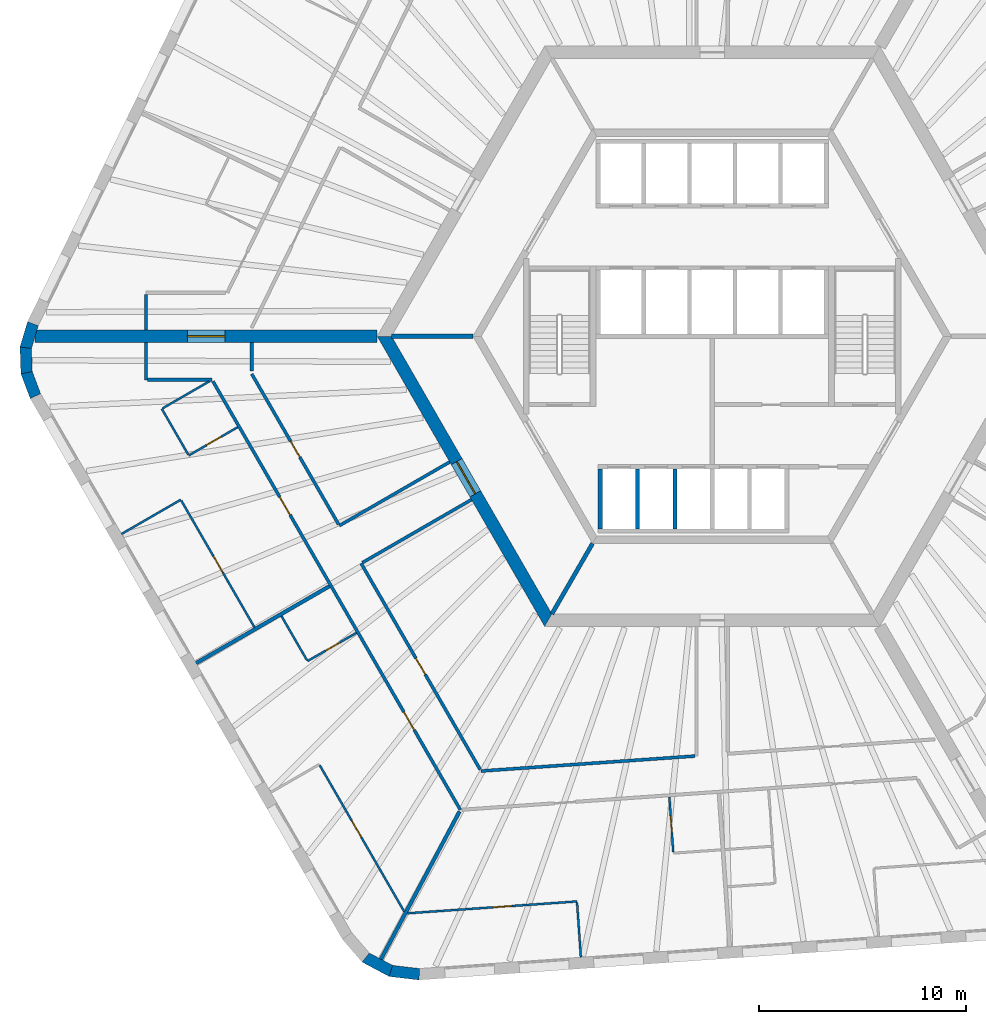
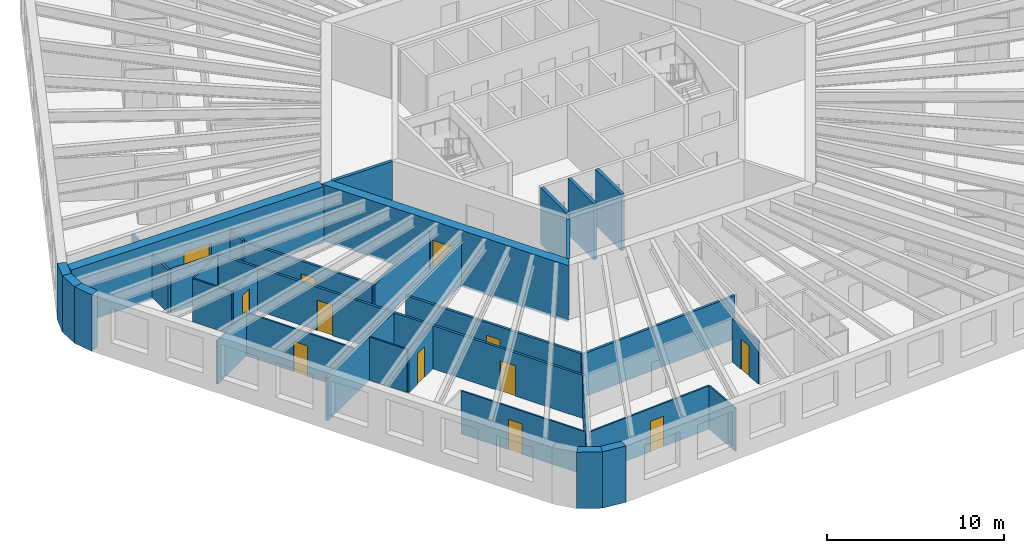
# One storey, part 3 of 12: 35 walls, 12 doors, 12 openings.
"""IFC4 building model written with IfcOpenShell, lengths in metres."""

from ifc_helpers import new_model, si_unit, direction, frame, frame_2d, origin, place, context, subcontext, project, spatial, polyline, rectangle, outline, extrude, material, layer, layer_set, type_object, element, fill, save


model = new_model("IFC4")

# Units and contexts
model_context = context("Model", 3, precision=1e-05, world=origin(), true_north=direction((0.0, 1.0)))
body_context = subcontext(model_context, "Body", "Model", "MODEL_VIEW")
ifc_project = project(units=[si_unit("LENGTHUNIT", "METRE"), si_unit("AREAUNIT", "SQUARE_METRE"), si_unit("VOLUMEUNIT", "CUBIC_METRE"), si_unit("PLANEANGLEUNIT", "RADIAN"), si_unit("MASSUNIT", "GRAM", prefix="KILO")], contexts=[model_context])

# Site, building, storey
site_placement = place(None, origin())
site = spatial("IfcSite", under=ifc_project, at=site_placement, CompositionType="ELEMENT")
building_placement = place(site_placement, origin())
building = spatial("IfcBuilding", under=site, at=building_placement, Name="Tarnside Tower", CompositionType="ELEMENT")
storey_placement = place(building_placement, frame((0.0, 0.0, 64.800048828125)))
storey = spatial("IfcBuildingStorey", under=building, at=storey_placement, Name="L13", CompositionType="ELEMENT", Elevation=64.800048828125)

# Wall, opening, door
ifc_material_1 = material(Name="Gypsum board partition on steel studs", Category="steel")
ifc_layer_1 = layer(ifc_material_1, 0.10009765625)
ifc_layer_set_1 = layer_set([ifc_layer_1], Name="Bathroom wall 100")
wall_type_1 = type_object("IfcWallType", Name="Bathroom wall 100", PredefinedType="PARTITIONING", material=ifc_layer_set_1)
wall_1_placement = place(storey_placement, frame((-22.898193359375, -4.38916015625, 0.0), z_axis=(0.0, 0.0, 1.0), x_axis=(-0.866012511928, -0.500022328685, 0.0)))
wall_1 = element("IfcWall", 1, at=wall_1_placement, inside=storey, type_object=wall_type_1, Name="Bathroom wall 03097", PredefinedType="PARTITIONING", context=body_context, shape_type="SweptSolid", body=[
    extrude(rectangle(XDim=2.72509765625, YDim=0.10009765625, at=frame_2d((1.362548828125, 0.0))), origin(), (0.0, 0.0, 1.0), 2.98779296875),
])
opening_1_placement = place(wall_1_placement, frame((0.925048828125, 0.0, 0.0)))
opening_1 = element("IfcOpeningElement", 2, at=opening_1_placement, cuts=wall_1, Name="Opening D-B1", PredefinedType="OPENING", context=body_context, shape_type="SweptSolid", body=[
    extrude(rectangle(XDim=0.800048828125, YDim=2.10009765625, at=frame_2d((0.39990234375, 1.050048828125))), frame((0.0, 0.06005859375, 0.0), z_axis=(0.0, -1.0, 0.0), x_axis=(1.0, 0.0, 0.0)), (0.0, 0.0, 1.0), 0.1201171875),
])
ifc_material_2 = material(Name="Timber door leaf", Category="wood")
door_type_1 = type_object("IfcDoorType", Name="Bathroom door 800", OperationType="NOTDEFINED", PredefinedType="DOOR", material=ifc_material_2)
door_1_placement = place(opening_1_placement, origin())
door_1 = element("IfcDoor", 3, at=door_1_placement, inside=storey, type_object=door_type_1, Name="Bathroom door 03014", OperationType="SINGLE_SWING_RIGHT", OverallHeight=2.10009765625, OverallWidth=0.800048828125, PredefinedType="DOOR", context=body_context, shape_type="SweptSolid", body=[
    extrude(rectangle(XDim=0.800048828125, YDim=2.10009765625, at=frame_2d((0.39990234375, 1.050048828125))), frame((0.0, 0.02490234375, 0.0), z_axis=(0.0, -1.0, 0.0), x_axis=(1.0, 0.0, 0.0)), (0.0, 0.0, 1.0), 0.050048828125),
])
fill(opening_1, door_1)

# Walls
wall_2_placement = place(storey_placement, frame((-25.283203125, -5.708251953125, 0.0), z_axis=(0.0, 0.0, 1.0), x_axis=(-0.499990435942, 0.866030925526, 0.0)))
element("IfcWall", 4, at=wall_2_placement, inside=storey, type_object=wall_type_1, Name="Bathroom wall 03098", PredefinedType="PARTITIONING", context=body_context, shape_type="SweptSolid", body=[
    extrude(rectangle(XDim=2.5498046875, YDim=0.10009765625, at=frame_2d((1.27490234375, 0.0))), origin(), (0.0, 0.0, 1.0), 2.98779296875),
])
wall_3_placement = place(storey_placement, frame((-26.514892578125, -3.47509765625, 0.0), z_axis=(0.0, 0.0, 1.0), x_axis=(0.866021400173, 0.500006934395, 0.0)))
element("IfcWall", 5, at=wall_3_placement, inside=storey, type_object=wall_type_1, Name="Bathroom wall 03099", PredefinedType="PARTITIONING", context=body_context, shape_type="SweptSolid", body=[
    extrude(rectangle(XDim=2.60009765625, YDim=0.10009765625, at=frame_2d((1.300048828125, 0.0))), origin(), (0.0, 0.0, 1.0), 2.98779296875),
])

# Wall, opening, door
wall_4_placement = place(storey_placement, frame((-17.168701171875, -14.31298828125, 0.0), z_axis=(0.0, 0.0, 1.0), x_axis=(-0.866012511928, -0.500022328685, 0.0)))
wall_4 = element("IfcWall", 6, at=wall_4_placement, inside=storey, type_object=wall_type_1, Name="Bathroom wall 03105", PredefinedType="PARTITIONING", context=body_context, shape_type="SweptSolid", body=[
    extrude(rectangle(XDim=2.72509765625, YDim=0.10009765625, at=frame_2d((1.362548828125, 0.0))), origin(), (0.0, 0.0, 1.0), 2.98779296875),
])
opening_2_placement = place(wall_4_placement, frame((0.925048828125, 0.0, 0.0)))
opening_2 = element("IfcOpeningElement", 7, at=opening_2_placement, cuts=wall_4, Name="Opening D-B1", PredefinedType="OPENING", context=body_context, shape_type="SweptSolid", body=[
    extrude(rectangle(XDim=0.800048828125, YDim=2.10009765625, at=frame_2d((0.39990234375, 1.050048828125))), frame((0.0, 0.06005859375, 0.0), z_axis=(0.0, -1.0, 0.0), x_axis=(1.0, 0.0, 0.0)), (0.0, 0.0, 1.0), 0.1201171875),
])
door_2_placement = place(opening_2_placement, origin())
door_2 = element("IfcDoor", 8, at=door_2_placement, inside=storey, type_object=door_type_1, Name="Bathroom door 03017", OperationType="SINGLE_SWING_RIGHT", OverallHeight=2.10009765625, OverallWidth=0.800048828125, PredefinedType="DOOR", context=body_context, shape_type="SweptSolid", body=[
    extrude(rectangle(XDim=0.800048828125, YDim=2.10009765625, at=frame_2d((0.39990234375, 1.050048828125))), frame((0.0, 0.02490234375, 0.0), z_axis=(0.0, -1.0, 0.0), x_axis=(1.0, 0.0, 0.0)), (0.0, 0.0, 1.0), 0.050048828125),
])
fill(opening_2, door_2)

# Wall
wall_5_placement = place(storey_placement, frame((-19.5537109375, -15.632080078125, 0.0), z_axis=(0.0, 0.0, 1.0), x_axis=(-0.500003092839, 0.866023618125, 0.0)))
element("IfcWall", 9, at=wall_5_placement, inside=storey, type_object=wall_type_1, Name="Bathroom wall 03106", PredefinedType="PARTITIONING", context=body_context, shape_type="SweptSolid", body=[
    extrude(rectangle(XDim=2.4599609375, YDim=0.10009765625, at=frame_2d((1.22998046875, 0.0))), origin(), (0.0, 0.0, 1.0), 2.98779296875),
])

# Wall, opening, door
wall_6_placement = place(storey_placement, frame((-1.87939453125, -24.891845703125, 0.0), z_axis=(0.0, 0.0, 1.0), x_axis=(-0.069722873391, 0.997566399257, 0.0)))
wall_6 = element("IfcWall", 10, at=wall_6_placement, inside=storey, type_object=wall_type_1, Name="Bathroom wall 03112", PredefinedType="PARTITIONING", context=body_context, shape_type="SweptSolid", body=[
    extrude(rectangle(XDim=2.67529296875, YDim=0.10009765625, at=frame_2d((1.337646484375, 0.0))), origin(), (0.0, 0.0, 1.0), 2.98779296875),
])
opening_3_placement = place(wall_6_placement, frame((0.949951171875, 0.0, 0.0)))
opening_3 = element("IfcOpeningElement", 11, at=opening_3_placement, cuts=wall_6, Name="Opening D-B1", PredefinedType="OPENING", context=body_context, shape_type="SweptSolid", body=[
    extrude(rectangle(XDim=0.800048828125, YDim=2.10009765625, at=frame_2d((0.39990234375, 1.050048828125))), frame((0.0, 0.06005859375, 0.0), z_axis=(0.0, -1.0, 0.0), x_axis=(1.0, 0.0, 0.0)), (0.0, 0.0, 1.0), 0.1201171875),
])
door_3_placement = place(opening_3_placement, origin())
door_3 = element("IfcDoor", 12, at=door_3_placement, inside=storey, type_object=door_type_1, Name="Bathroom door 03020", OperationType="SINGLE_SWING_RIGHT", OverallHeight=2.10009765625, OverallWidth=0.800048828125, PredefinedType="DOOR", context=body_context, shape_type="SweptSolid", body=[
    extrude(rectangle(XDim=0.800048828125, YDim=2.10009765625, at=frame_2d((0.39990234375, 1.050048828125))), frame((0.0, 0.02490234375, 0.0), z_axis=(0.0, -1.0, 0.0), x_axis=(1.0, 0.0, 0.0)), (0.0, 0.0, 1.0), 0.050048828125),
])
fill(opening_3, door_3)

ifc_material_3 = material(Name="Concrete C80/95", Category="concrete")
ifc_layer_2 = layer(ifc_material_3, 0.60009765625)
ifc_layer_set_2 = layer_set([ifc_layer_2], Name="Core wall Z1 600 C80/95")
wall_type_2 = type_object("IfcWallType", Name="Core wall Z1 600 C80/95", PredefinedType="SHEAR", material=ifc_layer_set_2)
wall_7_placement = place(storey_placement, frame((-15.8193359375, 0.0, -0.150146484375), z_axis=(0.0, 0.0, 1.0), x_axis=(0.499999880136, -0.866025472988, 0.0)))
wall_7 = element("IfcWall", 13, at=wall_7_placement, inside=storey, type_object=wall_type_2, Name="L13 core wall face 3", PredefinedType="SHEAR", context=body_context, shape_type="SweptSolid", body=[
    extrude(outline(polyline([(-0.17333984375, -0.300048828125), (15.99267578125, -0.300048828125), (15.64599609375, 0.300048828125), (0.17333984375, 0.300048828125), (-0.17333984375, -0.300048828125)])), origin(), (0.0, 0.0, 1.0), 3.900146484375),
])
opening_4_placement = place(wall_7_placement, frame((6.980712890625, 0.0, 0.14990234375)))
opening_4 = element("IfcOpeningElement", 14, at=opening_4_placement, cuts=wall_7, Name="Opening CD-FFL", PredefinedType="OPENING", context=body_context, shape_type="SweptSolid", body=[
    extrude(rectangle(XDim=1.800048828125, YDim=2.39990234375, at=frame_2d((0.89990234375, 1.199951171875))), frame((0.0, 0.31005859375, 0.0), z_axis=(0.0, -1.0, 0.0), x_axis=(1.0, 0.0, 0.0)), (0.0, 0.0, 1.0), 0.6201171875),
])
ifc_material_4 = material(Name="Steel fire door", Category="steel")
door_type_2 = type_object("IfcDoorType", Name="Firefighting lobby double door FD60S 1800x2400", OperationType="NOTDEFINED", PredefinedType="DOOR", material=ifc_material_4)
door_4_placement = place(opening_4_placement, origin())
door_4 = element("IfcDoor", 15, at=door_4_placement, inside=storey, type_object=door_type_2, Name="L13 core door P3", OperationType="DOUBLE_DOOR_SINGLE_SWING", OverallHeight=2.39990234375, OverallWidth=1.800048828125, PredefinedType="DOOR", context=body_context, shape_type="SweptSolid", body=[
    extrude(rectangle(XDim=1.800048828125, YDim=2.39990234375, at=frame_2d((0.89990234375, 1.199951171875))), frame((0.0, 0.02490234375, 0.0), z_axis=(0.0, -1.0, 0.0), x_axis=(1.0, 0.0, 0.0)), (0.0, 0.0, 1.0), 0.050048828125),
])
fill(opening_4, door_4)

wall_8_placement = place(storey_placement, frame((-16.165771484375, 0.0, -0.150146484375), z_axis=(0.0, 0.0, 1.0), x_axis=(-1.0, 0.0, 0.0)))
wall_8 = element("IfcWall", 16, at=wall_8_placement, inside=storey, type_object=wall_type_2, Name="L13 spine wall 2", PredefinedType="SHEAR", context=body_context, shape_type="SweptSolid", body=[
    extrude(rectangle(XDim=16.509033203125, YDim=0.60009765625, at=frame_2d((8.25439453125, 0.0))), origin(), (0.0, 0.0, 1.0), 3.900146484375),
])
opening_5_placement = place(wall_8_placement, frame((7.3544921875, 0.0, 0.14990234375)))
opening_5 = element("IfcOpeningElement", 17, at=opening_5_placement, cuts=wall_8, Name="Opening CD-SPN", PredefinedType="OPENING", context=body_context, shape_type="SweptSolid", body=[
    extrude(rectangle(XDim=1.800048828125, YDim=2.39990234375, at=frame_2d((0.89990234375, 1.199951171875))), frame((0.0, 0.31005859375, 0.0), z_axis=(0.0, -1.0, 0.0), x_axis=(1.0, 0.0, 0.0)), (0.0, 0.0, 1.0), 0.6201171875),
])
door_type_3 = type_object("IfcDoorType", Name="Spine passage double door FD60 1800x2400", OperationType="NOTDEFINED", PredefinedType="DOOR", material=ifc_material_4)
door_5_placement = place(opening_5_placement, origin())
door_5 = element("IfcDoor", 18, at=door_5_placement, inside=storey, type_object=door_type_3, Name="L13 spine passage door 2", OperationType="DOUBLE_DOOR_SINGLE_SWING", OverallHeight=2.39990234375, OverallWidth=1.800048828125, PredefinedType="DOOR", context=body_context, shape_type="SweptSolid", body=[
    extrude(rectangle(XDim=1.800048828125, YDim=2.39990234375, at=frame_2d((0.89990234375, 1.199951171875))), frame((0.0, 0.02490234375, 0.0), z_axis=(0.0, -1.0, 0.0), x_axis=(1.0, 0.0, 0.0)), (0.0, 0.0, 1.0), 0.050048828125),
])
fill(opening_5, door_5)

# Walls
ifc_layer_3 = layer(ifc_material_1, 0.14990234375)
ifc_layer_set_3 = layer_set([ifc_layer_3], Name="Corridor wall 150 EI 60")
wall_type_3 = type_object("IfcWallType", Name="Corridor wall 150 EI 60", PredefinedType="PARTITIONING", material=ifc_layer_set_3)
wall_9_placement = place(storey_placement, frame((-27.3203125, 2.02490234375, 0.0), z_axis=(0.0, 0.0, 1.0), x_axis=(0.0, -1.0, 0.0)))
element("IfcWall", 19, at=wall_9_placement, inside=storey, type_object=wall_type_3, Name="Corridor wall 03015", PredefinedType="PARTITIONING", context=body_context, shape_type="SweptSolid", body=[
    extrude(rectangle(XDim=1.724853515625, YDim=0.14990234375, at=frame_2d((0.8623046875, 0.0))), origin(), (0.0, 0.0, 1.0), 2.98779296875),
])
wall_10_placement = place(storey_placement, frame((-27.3203125, -0.300048828125, 0.0), z_axis=(0.0, 0.0, 1.0), x_axis=(0.0, -1.0, 0.0)))
element("IfcWall", 20, at=wall_10_placement, inside=storey, type_object=wall_type_3, Name="Corridor wall 03026", PredefinedType="PARTITIONING", context=body_context, shape_type="SweptSolid", body=[
    extrude(rectangle(XDim=1.800048828125, YDim=0.14990234375, at=frame_2d((0.89990234375, 0.0))), origin(), (0.0, 0.0, 1.0), 2.98779296875),
])
wall_11_placement = place(storey_placement, frame((-27.245361328125, -2.10009765625, 0.0), z_axis=(0.0, 0.0, 1.0), x_axis=(1.0, 0.0, 0.0)))
element("IfcWall", 21, at=wall_11_placement, inside=storey, type_object=wall_type_3, Name="Corridor wall 03027", PredefinedType="PARTITIONING", context=body_context, shape_type="SweptSolid", body=[
    extrude(rectangle(XDim=3.112060546875, YDim=0.14990234375, at=frame_2d((1.55615234375, 0.0))), origin(), (0.0, 0.0, 1.0), 2.98779296875),
])

# Wall, openings, doors
wall_12_placement = place(storey_placement, frame((-24.08984375, -2.175048828125, 0.0), z_axis=(0.0, 0.0, 1.0), x_axis=(0.499996832073, -0.86602723278, 0.0)))
wall_12 = element("IfcWall", 22, at=wall_12_placement, inside=storey, type_object=wall_type_3, Name="Corridor wall 03028", PredefinedType="PARTITIONING", context=body_context, shape_type="SweptSolid", body=[
    extrude(rectangle(XDim=23.877197265625, YDim=0.14990234375, at=frame_2d((11.9384765625, 0.0))), origin(), (0.0, 0.0, 1.0), 2.98779296875),
])
opening_6_placement = place(wall_12_placement, frame((6.44287109375, 0.0, 0.0)))
opening_6 = element("IfcOpeningElement", 23, at=opening_6_placement, cuts=wall_12, Name="Opening D-E1", PredefinedType="OPENING", context=body_context, shape_type="SweptSolid", body=[
    extrude(rectangle(XDim=1.0, YDim=2.10009765625, at=frame_2d((0.5, 1.050048828125))), frame((0.0, 0.0849609375, 0.0), z_axis=(0.0, -1.0, 0.0), x_axis=(1.0, 0.0, 0.0)), (0.0, 0.0, 1.0), 0.169921875),
])
opening_7_placement = place(wall_12_placement, frame((18.4248046875, 0.0, 0.0)))
opening_7 = element("IfcOpeningElement", 24, at=opening_7_placement, cuts=wall_12, Name="Opening D-E1", PredefinedType="OPENING", context=body_context, shape_type="SweptSolid", body=[
    extrude(rectangle(XDim=1.0, YDim=2.10009765625, at=frame_2d((0.5, 1.050048828125))), frame((0.0, 0.0849609375, 0.0), z_axis=(0.0, -1.0, 0.0), x_axis=(1.0, 0.0, 0.0)), (0.0, 0.0, 1.0), 0.169921875),
])
door_type_4 = type_object("IfcDoorType", Name="Unit entrance door 1000 FD30S", OperationType="NOTDEFINED", PredefinedType="DOOR", material=ifc_material_2)
door_6_placement = place(opening_6_placement, origin())
door_6 = element("IfcDoor", 25, at=door_6_placement, inside=storey, type_object=door_type_4, Name="Unit door 03013", OperationType="SINGLE_SWING_LEFT", OverallHeight=2.10009765625, OverallWidth=1.0, PredefinedType="DOOR", context=body_context, shape_type="SweptSolid", body=[
    extrude(rectangle(XDim=1.0, YDim=2.10009765625, at=frame_2d((0.5, 1.050048828125))), frame((0.0, 0.02490234375, 0.0), z_axis=(0.0, -1.0, 0.0), x_axis=(1.0, 0.0, 0.0)), (0.0, 0.0, 1.0), 0.050048828125),
])
fill(opening_6, door_6)
door_7_placement = place(opening_7_placement, origin())
door_7 = element("IfcDoor", 26, at=door_7_placement, inside=storey, type_object=door_type_4, Name="Unit door 03016", OperationType="SINGLE_SWING_LEFT", OverallHeight=2.10009765625, OverallWidth=1.0, PredefinedType="DOOR", context=body_context, shape_type="SweptSolid", body=[
    extrude(rectangle(XDim=1.0, YDim=2.10009765625, at=frame_2d((0.5, 1.050048828125))), frame((0.0, 0.02490234375, 0.0), z_axis=(0.0, -1.0, 0.0), x_axis=(1.0, 0.0, 0.0)), (0.0, 0.0, 1.0), 0.050048828125),
])
fill(opening_7, door_7)

# Wall
wall_13_placement = place(storey_placement, frame((-12.663818359375, -6.065673828125, 0.0), z_axis=(0.0, 0.0, 1.0), x_axis=(-0.866023618125, -0.500003092839, 0.0)))
element("IfcWall", 27, at=wall_13_placement, inside=storey, type_object=wall_type_3, Name="Corridor wall 03038", PredefinedType="PARTITIONING", context=body_context, shape_type="SweptSolid", body=[
    extrude(rectangle(XDim=6.14990234375, YDim=0.14990234375, at=frame_2d((3.074951171875, 0.0))), origin(), (0.0, 0.0, 1.0), 2.98779296875),
])

# Wall, opening, door
wall_14_placement = place(storey_placement, frame((-18.02734375, -9.07568359375, 0.0), z_axis=(0.0, 0.0, 1.0), x_axis=(-0.500007318041, 0.86602117867, 0.0)))
wall_14 = element("IfcWall", 28, at=wall_14_placement, inside=storey, type_object=wall_type_3, Name="Corridor wall 03039", PredefinedType="PARTITIONING", context=body_context, shape_type="SweptSolid", body=[
    extrude(rectangle(XDim=8.383056640625, YDim=0.14990234375, at=frame_2d((4.19140625, 0.0))), origin(), (0.0, 0.0, 1.0), 2.98779296875),
])
opening_8_placement = place(wall_14_placement, frame((3.74169921875, 0.0, 0.0)))
opening_8 = element("IfcOpeningElement", 29, at=opening_8_placement, cuts=wall_14, Name="Opening D-S1", PredefinedType="OPENING", context=body_context, shape_type="SweptSolid", body=[
    extrude(rectangle(XDim=0.89990234375, YDim=2.10009765625, at=frame_2d((0.449951171875, 1.050048828125))), frame((0.0, 0.0849609375, 0.0), z_axis=(0.0, -1.0, 0.0), x_axis=(1.0, 0.0, 0.0)), (0.0, 0.0, 1.0), 0.169921875),
])
door_type_5 = type_object("IfcDoorType", Name="Service room door 900 FD30S", OperationType="NOTDEFINED", PredefinedType="DOOR", material=ifc_material_2)
door_8_placement = place(opening_8_placement, origin())
door_8 = element("IfcDoor", 30, at=door_8_placement, inside=storey, type_object=door_type_5, Name="Service door 03042", OperationType="SINGLE_SWING_RIGHT", OverallHeight=2.10009765625, OverallWidth=0.89990234375, PredefinedType="DOOR", context=body_context, shape_type="SweptSolid", body=[
    extrude(rectangle(XDim=0.89990234375, YDim=2.10009765625, at=frame_2d((0.449951171875, 1.050048828125))), frame((0.0, 0.02490234375, 0.0), z_axis=(0.0, -1.0, 0.0), x_axis=(1.0, 0.0, 0.0)), (0.0, 0.0, 1.0), 0.050048828125),
])
fill(opening_8, door_8)

# Walls
wall_15_placement = place(storey_placement, frame((-22.218994140625, -1.665771484375, 0.0), z_axis=(0.0, 0.0, 1.0), x_axis=(0.0, 1.0, 0.0)))
element("IfcWall", 31, at=wall_15_placement, inside=storey, type_object=wall_type_3, Name="Corridor wall 03040", PredefinedType="PARTITIONING", context=body_context, shape_type="SweptSolid", body=[
    extrude(rectangle(XDim=1.36572265625, YDim=0.14990234375, at=frame_2d((0.682861328125, 0.0))), origin(), (0.0, 0.0, 1.0), 2.98779296875),
])
wall_16_placement = place(storey_placement, frame((-0.824951171875, -20.2568359375, 0.0), z_axis=(0.0, 0.0, 1.0), x_axis=(-0.9975635143, -0.069764137903, 0.0)))
element("IfcWall", 32, at=wall_16_placement, inside=storey, type_object=wall_type_3, Name="Corridor wall 03042", PredefinedType="PARTITIONING", context=body_context, shape_type="SweptSolid", body=[
    extrude(rectangle(XDim=10.35498046875, YDim=0.14990234375, at=frame_2d((5.177490234375, 0.0))), origin(), (0.0, 0.0, 1.0), 2.98779296875),
])

# Wall, opening, door
wall_17_placement = place(storey_placement, frame((-11.196533203125, -20.906982421875, 0.0), z_axis=(0.0, 0.0, 1.0), x_axis=(-0.500004557924, 0.86602277225, 0.0)))
wall_17 = element("IfcWall", 33, at=wall_17_placement, inside=storey, type_object=wall_type_3, Name="Corridor wall 03043", PredefinedType="PARTITIONING", context=body_context, shape_type="SweptSolid", body=[
    extrude(rectangle(XDim=11.48681640625, YDim=0.14990234375, at=frame_2d((5.743408203125, 0.0))), origin(), (0.0, 0.0, 1.0), 2.98779296875),
])
opening_9_placement = place(wall_17_placement, frame((5.293212890625, 0.0, 0.0)))
opening_9 = element("IfcOpeningElement", 34, at=opening_9_placement, cuts=wall_17, Name="Opening D-S1", PredefinedType="OPENING", context=body_context, shape_type="SweptSolid", body=[
    extrude(rectangle(XDim=0.89990234375, YDim=2.10009765625, at=frame_2d((0.449951171875, 1.050048828125))), frame((0.0, 0.0849609375, 0.0), z_axis=(0.0, -1.0, 0.0), x_axis=(1.0, 0.0, 0.0)), (0.0, 0.0, 1.0), 0.169921875),
])
door_9_placement = place(opening_9_placement, origin())
door_9 = element("IfcDoor", 35, at=door_9_placement, inside=storey, type_object=door_type_5, Name="Service door 03043", OperationType="SINGLE_SWING_RIGHT", OverallHeight=2.10009765625, OverallWidth=0.89990234375, PredefinedType="DOOR", context=body_context, shape_type="SweptSolid", body=[
    extrude(rectangle(XDim=0.89990234375, YDim=2.10009765625, at=frame_2d((0.449951171875, 1.050048828125))), frame((0.0, 0.02490234375, 0.0), z_axis=(0.0, -1.0, 0.0), x_axis=(1.0, 0.0, 0.0)), (0.0, 0.0, 1.0), 0.050048828125),
])
fill(opening_9, door_9)

# Walls
wall_18_placement = place(storey_placement, frame((-16.875, -10.921875, 0.0), z_axis=(0.0, 0.0, 1.0), x_axis=(0.866023634079, 0.500003065207, 0.0)))
element("IfcWall", 36, at=wall_18_placement, inside=storey, type_object=wall_type_3, Name="Corridor wall 03044", PredefinedType="PARTITIONING", context=body_context, shape_type="SweptSolid", body=[
    extrude(rectangle(XDim=6.0751953125, YDim=0.14990234375, at=frame_2d((3.03759765625, 0.0))), origin(), (0.0, 0.0, 1.0), 2.98779296875),
])
ifc_layer_4 = layer(ifc_material_1, 0.179931640625)
ifc_layer_set_4 = layer_set([ifc_layer_4], Name="Demising wall 180 EI 60")
wall_type_4 = type_object("IfcWallType", Name="Demising wall 180 EI 60", PredefinedType="PARTITIONING", material=ifc_layer_set_4)
wall_19_placement = place(storey_placement, frame((-24.89892578125, -15.773681640625, 0.0), z_axis=(0.0, 0.0, 1.0), x_axis=(0.866028983062, 0.499993800457, 0.0)))
element("IfcWall", 37, at=wall_19_placement, inside=storey, type_object=wall_type_4, Name="Demising wall 03102", PredefinedType="PARTITIONING", context=body_context, shape_type="SweptSolid", body=[
    extrude(rectangle(XDim=7.4248046875, YDim=0.179931640625, at=frame_2d((3.71240234375, 0.0))), origin(), (0.0, 0.0, 1.0), 2.98779296875),
])
wall_20_placement = place(storey_placement, frame((-15.98291015625, -30.059326171875, 0.0), z_axis=(0.0, 0.0, 1.0), x_axis=(0.469476547643, 0.882944942346, 0.0)))
element("IfcWall", 38, at=wall_20_placement, inside=storey, type_object=wall_type_4, Name="Demising wall 03109", PredefinedType="PARTITIONING", context=body_context, shape_type="SweptSolid", body=[
    extrude(rectangle(XDim=8.072998046875, YDim=0.179931640625, at=frame_2d((4.03662109375, 0.0))), origin(), (0.0, 0.0, 1.0), 2.98779296875),
])
ifc_material_5 = material(Name="Concrete C40/50", Category="concrete")
ifc_layer_5 = layer(ifc_material_5, 0.199951171875)
ifc_layer_set_5 = layer_set([ifc_layer_5], Name="Lift shaft wall 200 C40/50")
wall_type_5 = type_object("IfcWallType", Name="Lift shaft wall 200 C40/50", PredefinedType="SHEAR", material=ifc_layer_set_5)
for number, where, z_axis, x_axis, name in (
    (39, (-5.39990234375, -9.300048828125, -0.25), (0.0, 0.0, 1.0), (0.0, 1.0, 0.0), "L13 lift shaft partition R41"),
    (40, (-3.60009765625, -9.300048828125, -0.25), (0.0, 0.0, 1.0), (0.0, 1.0, 0.0), "L13 lift shaft partition R42"),
    (41, (-1.800048828125, -9.300048828125, -0.25), (0.0, 0.0, 1.0), (0.0, 1.0, 0.0), "L13 lift shaft partition R43"),
):
    element("IfcWall", number, at=place(storey_placement, frame(where, z_axis=z_axis, x_axis=x_axis)), inside=storey, type_object=wall_type_5, Name=name, PredefinedType="SHEAR", context=body_context, shape_type="SweptSolid", body=[
        extrude(rectangle(XDim=2.900146484375, YDim=0.199951171875, at=frame_2d((1.4501953125, 0.0))), origin(), (0.0, 0.0, 1.0), 3.89990234375),
    ])
wall_21_placement = place(storey_placement, frame((-11.547119140625, 0.0, -0.150146484375), z_axis=(0.0, 0.0, 1.0), x_axis=(-1.0, 0.0, 0.0)))
element("IfcWall", 42, at=wall_21_placement, inside=storey, type_object=wall_type_5, Name="L13 core partition AR180", PredefinedType="SHEAR", context=body_context, shape_type="SweptSolid", body=[
    extrude(rectangle(XDim=3.92578125, YDim=0.199951171875, at=frame_2d((1.962890625, 0.0))), origin(), (0.0, 0.0, 1.0), 3.900146484375),
])
wall_22_placement = place(storey_placement, frame((-5.7734375, -10.0, -0.150146484375), z_axis=(0.0, 0.0, 1.0), x_axis=(-0.500038251005, -0.86600331843, 0.0)))
element("IfcWall", 43, at=wall_22_placement, inside=storey, type_object=wall_type_5, Name="L13 core partition AR240", PredefinedType="SHEAR", context=body_context, shape_type="SweptSolid", body=[
    extrude(rectangle(XDim=3.926025390625, YDim=0.199951171875, at=frame_2d((1.962890625, 0.0))), origin(), (0.0, 0.0, 1.0), 3.900146484375),
])
ifc_layer_6 = layer(ifc_material_1, 0.10009765625)
ifc_layer_set_6 = layer_set([ifc_layer_6], Name="Partition 100")
wall_type_6 = type_object("IfcWallType", Name="Partition 100", PredefinedType="PARTITIONING", material=ifc_layer_set_6)
wall_23_placement = place(storey_placement, frame((-28.4990234375, -9.538330078125, 0.0), z_axis=(0.0, 0.0, 1.0), x_axis=(0.866040211805, 0.499974350878, 0.0)))
element("IfcWall", 44, at=wall_23_placement, inside=storey, type_object=wall_type_6, Name="Partition wall 03100", PredefinedType="PARTITIONING", context=body_context, shape_type="SweptSolid", body=[
    extrude(rectangle(XDim=3.300048828125, YDim=0.10009765625, at=frame_2d((1.64990234375, 0.0))), origin(), (0.0, 0.0, 1.0), 2.98779296875),
])

# Wall, opening, door
wall_24_placement = place(storey_placement, frame((-25.615966796875, -7.931640625, 0.0), z_axis=(0.0, 0.0, 1.0), x_axis=(0.499995846692, -0.866027801685, 0.0)))
wall_24 = element("IfcWall", 45, at=wall_24_placement, inside=storey, type_object=wall_type_6, Name="Partition wall 03101", PredefinedType="PARTITIONING", context=body_context, shape_type="SweptSolid", body=[
    extrude(rectangle(XDim=7.06005859375, YDim=0.10009765625, at=frame_2d((3.530029296875, 0.0))), origin(), (0.0, 0.0, 1.0), 2.98779296875),
])
opening_10_placement = place(wall_24_placement, frame((3.10009765625, 0.0, 0.0)))
opening_10 = element("IfcOpeningElement", 46, at=opening_10_placement, cuts=wall_24, Name="Opening D-I1", PredefinedType="OPENING", context=body_context, shape_type="SweptSolid", body=[
    extrude(rectangle(XDim=0.89990234375, YDim=2.10009765625, at=frame_2d((0.449951171875, 1.050048828125))), frame((0.0, 0.06005859375, 0.0), z_axis=(0.0, -1.0, 0.0), x_axis=(1.0, 0.0, 0.0)), (0.0, 0.0, 1.0), 0.1201171875),
])
door_type_6 = type_object("IfcDoorType", Name="Internal door 900", OperationType="NOTDEFINED", PredefinedType="DOOR", material=ifc_material_2)
door_10_placement = place(opening_10_placement, origin())
door_10 = element("IfcDoor", 47, at=door_10_placement, inside=storey, type_object=door_type_6, Name="Internal door 03015", OperationType="SINGLE_SWING_RIGHT", OverallHeight=2.10009765625, OverallWidth=0.89990234375, PredefinedType="DOOR", context=body_context, shape_type="SweptSolid", body=[
    extrude(rectangle(XDim=0.89990234375, YDim=2.10009765625, at=frame_2d((0.449951171875, 1.050048828125))), frame((0.0, 0.02490234375, 0.0), z_axis=(0.0, -1.0, 0.0), x_axis=(1.0, 0.0, 0.0)), (0.0, 0.0, 1.0), 0.050048828125),
])
fill(opening_10, door_10)

wall_25_placement = place(storey_placement, frame((-18.935546875, -20.702392578125, 0.0), z_axis=(0.0, 0.0, 1.0), x_axis=(0.49998354646, -0.866034903032, 0.0)))
wall_25 = element("IfcWall", 48, at=wall_25_placement, inside=storey, type_object=wall_type_6, Name="Partition wall 03108", PredefinedType="PARTITIONING", context=body_context, shape_type="SweptSolid", body=[
    extrude(rectangle(XDim=8.148193359375, YDim=0.10009765625, at=frame_2d((4.07421875, 0.0))), origin(), (0.0, 0.0, 1.0), 2.98779296875),
])
opening_11_placement = place(wall_25_placement, frame((3.10009765625, 0.0, 0.0)))
opening_11 = element("IfcOpeningElement", 49, at=opening_11_placement, cuts=wall_25, Name="Opening D-I1", PredefinedType="OPENING", context=body_context, shape_type="SweptSolid", body=[
    extrude(rectangle(XDim=0.89990234375, YDim=2.10009765625, at=frame_2d((0.449951171875, 1.050048828125))), frame((0.0, 0.06005859375, 0.0), z_axis=(0.0, -1.0, 0.0), x_axis=(1.0, 0.0, 0.0)), (0.0, 0.0, 1.0), 0.1201171875),
])
door_11_placement = place(opening_11_placement, origin())
door_11 = element("IfcDoor", 50, at=door_11_placement, inside=storey, type_object=door_type_6, Name="Internal door 03018", OperationType="SINGLE_SWING_RIGHT", OverallHeight=2.10009765625, OverallWidth=0.89990234375, PredefinedType="DOOR", context=body_context, shape_type="SweptSolid", body=[
    extrude(rectangle(XDim=0.89990234375, YDim=2.10009765625, at=frame_2d((0.449951171875, 1.050048828125))), frame((0.0, 0.02490234375, 0.0), z_axis=(0.0, -1.0, 0.0), x_axis=(1.0, 0.0, 0.0)), (0.0, 0.0, 1.0), 0.050048828125),
])
fill(opening_11, door_11)

wall_26_placement = place(storey_placement, frame((-14.70263671875, -27.843505859375, 0.0), z_axis=(0.0, 0.0, 1.0), x_axis=(0.997562679052, 0.069776080157, 0.0)))
wall_26 = element("IfcWall", 51, at=wall_26_placement, inside=storey, type_object=wall_type_6, Name="Partition wall 03113", PredefinedType="PARTITIONING", context=body_context, shape_type="SweptSolid", body=[
    extrude(rectangle(XDim=8.197998046875, YDim=0.10009765625, at=frame_2d((4.09912109375, 0.0))), origin(), (0.0, 0.0, 1.0), 2.98779296875),
])
opening_12_placement = place(wall_26_placement, frame((4.14794921875, 0.0, 0.0)))
opening_12 = element("IfcOpeningElement", 52, at=opening_12_placement, cuts=wall_26, Name="Opening D-I1", PredefinedType="OPENING", context=body_context, shape_type="SweptSolid", body=[
    extrude(rectangle(XDim=0.89990234375, YDim=2.10009765625, at=frame_2d((0.449951171875, 1.050048828125))), frame((0.0, 0.06005859375, 0.0), z_axis=(0.0, -1.0, 0.0), x_axis=(1.0, 0.0, 0.0)), (0.0, 0.0, 1.0), 0.1201171875),
])
door_12_placement = place(opening_12_placement, origin())
door_12 = element("IfcDoor", 53, at=door_12_placement, inside=storey, type_object=door_type_6, Name="Internal door 03021", OperationType="SINGLE_SWING_LEFT", OverallHeight=2.10009765625, OverallWidth=0.89990234375, PredefinedType="DOOR", context=body_context, shape_type="SweptSolid", body=[
    extrude(rectangle(XDim=0.89990234375, YDim=2.10009765625, at=frame_2d((0.449951171875, 1.050048828125))), frame((0.0, 0.02490234375, 0.0), z_axis=(0.0, -1.0, 0.0), x_axis=(1.0, 0.0, 0.0)), (0.0, 0.0, 1.0), 0.050048828125),
])
fill(opening_12, door_12)

# Walls
wall_27_placement = place(storey_placement, frame((-6.521240234375, -27.321533203125, 0.0), z_axis=(0.0, 0.0, 1.0), x_axis=(0.069832794838, -0.997558710435, 0.0)))
element("IfcWall", 54, at=wall_27_placement, inside=storey, type_object=wall_type_6, Name="Partition wall 03114", PredefinedType="PARTITIONING", context=body_context, shape_type="SweptSolid", body=[
    extrude(rectangle(XDim=2.64990234375, YDim=0.10009765625, at=frame_2d((1.324951171875, 0.0))), origin(), (0.0, 0.0, 1.0), 2.98779296875),
])
ifc_material_6 = material(Name="Facing brick", Category="masonry")
ifc_layer_7 = layer(ifc_material_6, 0.10205078125)
ifc_material_7 = material(Name="Concrete C60/75 precast", Category="concrete")
ifc_layer_8 = layer(ifc_material_7, 0.347900390625)
ifc_material_8 = material(Name="Mineral wool insulation")
ifc_layer_9 = layer(ifc_material_8, 0.10009765625)
ifc_layer_set_7 = layer_set([ifc_layer_7, ifc_layer_8, ifc_layer_9], Name="Tube wall 550 brick faced")
wall_type_7 = type_object("IfcWallType", Name="Tube wall 550 brick faced", PredefinedType="SOLIDWALL", material=ifc_layer_set_7)
wall_28_placement = place(storey_placement, frame((-32.77685546875, 0.605224609375, -0.150146484375), z_axis=(0.0, 0.0, 1.0), x_axis=(-0.286921497463, -0.957954098219, 0.0)))
element("IfcWall", 55, at=wall_28_placement, inside=storey, type_object=wall_type_7, Name="Tube wall L13 F2 chord 05", PredefinedType="SOLIDWALL", context=body_context, shape_type="SweptSolid", body=[
    extrude(outline(polyline([(-0.0224609375, -0.27490234375), (1.25341796875, -0.27490234375), (1.1630859375, 0.27490234375), (0.0224609375, 0.27490234375), (-0.0224609375, -0.27490234375)])), origin(), (0.0, 0.0, 1.0), 3.900146484375),
])
wall_29_placement = place(storey_placement, frame((-33.12353515625, -0.55224609375, -0.150146484375), z_axis=(0.0, 0.0, 1.0), x_axis=(0.03495638276, -0.999388838893, 0.0)))
element("IfcWall", 56, at=wall_29_placement, inside=storey, type_object=wall_type_7, Name="Tube wall L13 F2 chord 06", PredefinedType="SOLIDWALL", context=body_context, shape_type="SweptSolid", body=[
    extrude(outline(polyline([(-0.045166015625, -0.27490234375), (1.25341796875, -0.27490234375), (1.1630859375, 0.27490234375), (0.045166015625, 0.27490234375), (-0.045166015625, -0.27490234375)])), origin(), (0.0, 0.0, 1.0), 3.900146484375),
])
wall_30_placement = place(storey_placement, frame((-33.081298828125, -1.759765625, -0.150146484375), z_axis=(0.0, 0.0, 1.0), x_axis=(0.353027214741, -0.935613053378, 0.0)))
element("IfcWall", 57, at=wall_30_placement, inside=storey, type_object=wall_type_7, Name="Tube wall L13 F2 chord 07", PredefinedType="SOLIDWALL", context=body_context, shape_type="SweptSolid", body=[
    extrude(outline(polyline([(-0.045166015625, -0.27490234375), (1.230712890625, -0.27490234375), (1.185791015625, 0.27490234375), (0.045166015625, 0.27490234375), (-0.045166015625, -0.27490234375)])), origin(), (0.0, 0.0, 1.0), 3.900146484375),
])
wall_31_placement = place(storey_placement, frame((-16.720703125, -29.978515625, -0.150146484375), z_axis=(0.0, 0.0, 1.0), x_axis=(0.882994189209, -0.469383917304, 0.0)))
element("IfcWall", 58, at=wall_31_placement, inside=storey, type_object=wall_type_7, Name="Tube wall L13 F3 chord 10", PredefinedType="SOLIDWALL", context=body_context, shape_type="SweptSolid", body=[
    extrude(outline(polyline([(-0.0517578125, -0.27490234375), (1.4306640625, -0.27490234375), (1.3271484375, 0.27490234375), (0.0517578125, 0.27490234375), (-0.0517578125, -0.27490234375)])), origin(), (0.0, 0.0, 1.0), 3.900146484375),
])
wall_32_placement = place(storey_placement, frame((-15.503173828125, -30.625732421875, -0.150146484375), z_axis=(0.0, 0.0, 1.0), x_axis=(0.993232537394, -0.11614269956, 0.0)))
element("IfcWall", 59, at=wall_32_placement, inside=storey, type_object=wall_type_7, Name="Tube wall L13 F3 chord 11", PredefinedType="SOLIDWALL", context=body_context, shape_type="SweptSolid", body=[
    extrude(outline(polyline([(-0.0517578125, -0.27490234375), (1.404541015625, -0.27490234375), (1.353271484375, 0.27490234375), (0.0517578125, 0.27490234375), (-0.0517578125, -0.27490234375)])), origin(), (0.0, 0.0, 1.0), 3.900146484375),
])

save(model, "model.ifc")
